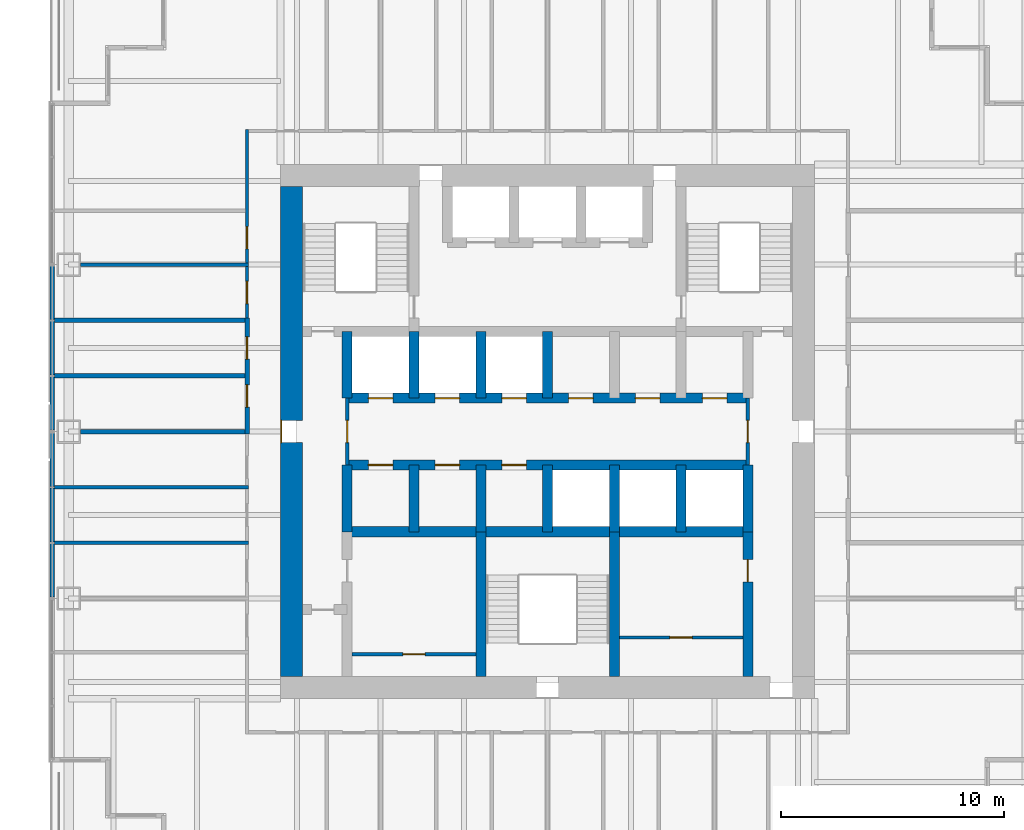
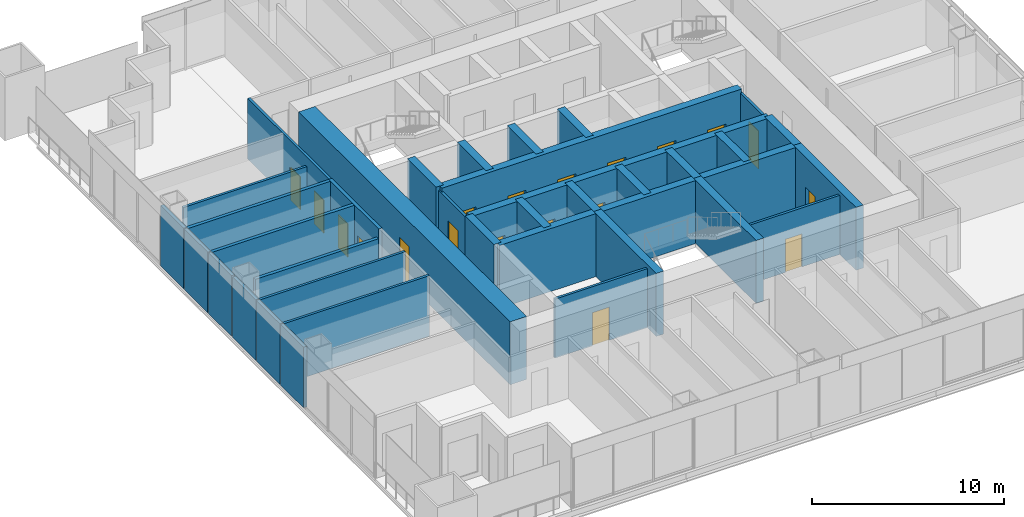
# One storey, part 9 of 14: 36 walls, 19 doors, 19 openings.
"""IFC4 building model written with IfcOpenShell, lengths in metres."""

from ifc_helpers import new_model, si_unit, direction, frame, frame_2d, origin, place, context, subcontext, project, spatial, rectangle, extrude, material, layer, layer_set, type_object, element, fill, save


model = new_model("IFC4")

# Units and contexts
model_context = context("Model", 3, precision=1e-05, world=origin(), true_north=direction((0.0, 1.0)))
body_context = subcontext(model_context, "Body", "Model", "MODEL_VIEW")
ifc_project = project(units=[si_unit("LENGTHUNIT", "METRE"), si_unit("AREAUNIT", "SQUARE_METRE"), si_unit("VOLUMEUNIT", "CUBIC_METRE"), si_unit("PLANEANGLEUNIT", "RADIAN"), si_unit("MASSUNIT", "GRAM", prefix="KILO")], contexts=[model_context])

# Site, building, storey
site_placement = place(None, origin())
site = spatial("IfcSite", under=ifc_project, at=site_placement, CompositionType="ELEMENT")
building_placement = place(site_placement, origin())
building = spatial("IfcBuilding", under=site, at=building_placement, Name="Tarangal Relay Tower", CompositionType="ELEMENT")
storey_placement = place(building_placement, frame((0.0, 0.0, 229.89990234375)))
storey = spatial("IfcBuildingStorey", under=building, at=storey_placement, Name="L49", CompositionType="ELEMENT", Elevation=229.89990234375)

# Walls
ifc_material_1 = material(Name="Two layers gypsum board each side on twin steel studs, mineral wool", Category="steel")
ifc_layer_1 = layer(ifc_material_1, 0.199951171875)
ifc_layer_set_1 = layer_set([ifc_layer_1], Name="Acoustic partition 200")
wall_type_1 = type_object("IfcWallType", Name="Acoustic partition 200", PredefinedType="PARTITIONING", material=ifc_layer_set_1)
wall_1_placement = place(storey_placement, frame((-20.989990234375, 0.0, 0.0), z_axis=(0.0, 0.0, 1.0), x_axis=(1.0, 0.0, 0.0)))
element("IfcWall", 1, at=wall_1_placement, inside=storey, type_object=wall_type_1, Name="Partition PT2 L49", PredefinedType="PARTITIONING", context=body_context, shape_type="SweptSolid", body=[
    extrude(rectangle(XDim=7.590087890625, YDim=0.199951171875, at=frame_2d((3.794921875, 0.0))), origin(), (0.0, 0.0, 1.0), 3.238037109375),
])
for number, where, z_axis, x_axis, name in (
    (2, (-22.14990234375, 2.5, 0.0), (0.0, 0.0, 1.0), (1.0, 0.0, 0.0), "Partition PT2 L49"),
    (3, (-22.14990234375, 5.0, 0.0), (0.0, 0.0, 1.0), (1.0, 0.0, 0.0), "Partition PT2 L49"),
):
    element("IfcWall", number, at=place(storey_placement, frame(where, z_axis=z_axis, x_axis=x_axis)), inside=storey, type_object=wall_type_1, Name=name, PredefinedType="PARTITIONING", context=body_context, shape_type="SweptSolid", body=[
        extrude(rectangle(XDim=8.75, YDim=0.199951171875, at=frame_2d((4.375, 0.0))), origin(), (0.0, 0.0, 1.0), 3.85009765625),
    ])

# Wall, openings, doors
wall_2_placement = place(storey_placement, frame((-13.5, -0.10009765625, 0.0), z_axis=(0.0, 0.0, 1.0), x_axis=(0.0, 1.0, 0.0)))
wall_2 = element("IfcWall", 4, at=wall_2_placement, inside=storey, type_object=wall_type_1, Name="Partition PT2 L49", PredefinedType="PARTITIONING", context=body_context, shape_type="SweptSolid", body=[
    extrude(rectangle(XDim=5.2001953125, YDim=0.199951171875, at=frame_2d((2.60009765625, 0.0))), origin(), (0.0, 0.0, 1.0), 3.85009765625),
])
opening_1_placement = place(wall_2_placement, frame((1.199951171875, 0.0, 0.0)))
opening_1 = element("IfcOpeningElement", 5, at=opening_1_placement, cuts=wall_2, Name="Opening D2", PredefinedType="OPENING", context=body_context, shape_type="SweptSolid", body=[
    extrude(rectangle(XDim=1.0, YDim=2.10009765625, at=frame_2d((0.5, 1.050048828125))), frame((0.0, 0.10986328125, 0.0), z_axis=(0.0, -1.0, 0.0), x_axis=(1.0, 0.0, 0.0)), (0.0, 0.0, 1.0), 0.219970703125),
])
opening_2_placement = place(wall_2_placement, frame((3.35009765625, 0.0, 0.0)))
opening_2 = element("IfcOpeningElement", 6, at=opening_2_placement, cuts=wall_2, Name="Opening D2", PredefinedType="OPENING", context=body_context, shape_type="SweptSolid", body=[
    extrude(rectangle(XDim=1.0, YDim=2.10009765625, at=frame_2d((0.5, 1.050048828125))), frame((0.0, 0.10986328125, 0.0), z_axis=(0.0, -1.0, 0.0), x_axis=(1.0, 0.0, 0.0)), (0.0, 0.0, 1.0), 0.219970703125),
])
ifc_material_2 = material(Name="Hardwood door", Category="wood")
door_type_1 = type_object("IfcDoorType", Name="Door 1000 x 2100", OperationType="SINGLE_SWING_LEFT", PredefinedType="DOOR", material=ifc_material_2)
door_1_placement = place(opening_1_placement, origin())
door_1 = element("IfcDoor", 7, at=door_1_placement, inside=storey, type_object=door_type_1, Name="Door D2 to wellness room L49-27", OperationType="SINGLE_SWING_LEFT", OverallHeight=2.10009765625, OverallWidth=1.0, PredefinedType="DOOR", context=body_context, shape_type="SweptSolid", body=[
    extrude(rectangle(XDim=1.0, YDim=2.10009765625, at=frame_2d((0.5, 1.050048828125))), frame((0.0, 0.02490234375, 0.0), z_axis=(0.0, -1.0, 0.0), x_axis=(1.0, 0.0, 0.0)), (0.0, 0.0, 1.0), 0.050048828125),
])
fill(opening_1, door_1)
door_2_placement = place(opening_2_placement, origin())
door_2 = element("IfcDoor", 8, at=door_2_placement, inside=storey, type_object=door_type_1, Name="Door D2 to quiet room L49-28", OperationType="SINGLE_SWING_LEFT", OverallHeight=2.10009765625, OverallWidth=1.0, PredefinedType="DOOR", context=body_context, shape_type="SweptSolid", body=[
    extrude(rectangle(XDim=1.0, YDim=2.10009765625, at=frame_2d((0.5, 1.050048828125))), frame((0.0, 0.02490234375, 0.0), z_axis=(0.0, -1.0, 0.0), x_axis=(1.0, 0.0, 0.0)), (0.0, 0.0, 1.0), 0.050048828125),
])
fill(opening_2, door_2)

ifc_material_3 = material(Name="Concrete fc' 60 MPa", Category="concrete")
ifc_layer_2 = layer(ifc_material_3, 0.449951171875)
ifc_layer_set_2 = layer_set([ifc_layer_2], Name="Core inner wall 450")
wall_type_2 = type_object("IfcWallType", Name="Core inner wall 450", PredefinedType="SHEAR", material=ifc_layer_set_2)
wall_3_placement = place(storey_placement, frame((-9.0, 1.5, 0.0), z_axis=(0.0, 0.0, 1.0), x_axis=(1.0, 0.0, 0.0)))
wall_3 = element("IfcWall", 9, at=wall_3_placement, inside=storey, type_object=wall_type_2, Name="Core wall Y15 L49", PredefinedType="SHEAR", context=body_context, shape_type="SweptSolid", body=[
    extrude(rectangle(XDim=18.0, YDim=0.449951171875, at=frame_2d((9.0, 0.0))), origin(), (0.0, 0.0, 1.0), 4.0),
])
opening_3_placement = place(wall_3_placement, frame((0.949951171875, 0.0, 0.0)))
opening_3 = element("IfcOpeningElement", 10, at=opening_3_placement, cuts=wall_3, Name="Opening LD1", PredefinedType="OPENING", context=body_context, shape_type="SweptSolid", body=[
    extrude(rectangle(XDim=1.10009765625, YDim=2.10009765625, at=frame_2d((0.550048828125, 1.050048828125))), frame((0.0, 0.23486328125, 0.0), z_axis=(0.0, -1.0, 0.0), x_axis=(1.0, 0.0, 0.0)), (0.0, 0.0, 1.0), 0.469970703125),
])
opening_4_placement = place(wall_3_placement, frame((3.949951171875, 0.0, 0.0)))
opening_4 = element("IfcOpeningElement", 11, at=opening_4_placement, cuts=wall_3, Name="Opening LD1", PredefinedType="OPENING", context=body_context, shape_type="SweptSolid", body=[
    extrude(rectangle(XDim=1.10009765625, YDim=2.10009765625, at=frame_2d((0.550048828125, 1.050048828125))), frame((0.0, 0.23486328125, 0.0), z_axis=(0.0, -1.0, 0.0), x_axis=(1.0, 0.0, 0.0)), (0.0, 0.0, 1.0), 0.469970703125),
])
opening_5_placement = place(wall_3_placement, frame((6.949951171875, 0.0, 0.0)))
opening_5 = element("IfcOpeningElement", 12, at=opening_5_placement, cuts=wall_3, Name="Opening LD1", PredefinedType="OPENING", context=body_context, shape_type="SweptSolid", body=[
    extrude(rectangle(XDim=1.10009765625, YDim=2.10009765625, at=frame_2d((0.550048828125, 1.050048828125))), frame((0.0, 0.23486328125, 0.0), z_axis=(0.0, -1.0, 0.0), x_axis=(1.0, 0.0, 0.0)), (0.0, 0.0, 1.0), 0.469970703125),
])
opening_6_placement = place(wall_3_placement, frame((9.949951171875, 0.0, 0.0)))
opening_6 = element("IfcOpeningElement", 13, at=opening_6_placement, cuts=wall_3, Name="Opening D4", PredefinedType="OPENING", context=body_context, shape_type="SweptSolid", body=[
    extrude(rectangle(XDim=1.10009765625, YDim=2.10009765625, at=frame_2d((0.550048828125, 1.050048828125))), frame((0.0, 0.23486328125, 0.0), z_axis=(0.0, -1.0, 0.0), x_axis=(1.0, 0.0, 0.0)), (0.0, 0.0, 1.0), 0.469970703125),
])
opening_7_placement = place(wall_3_placement, frame((12.949951171875, 0.0, 0.0)))
opening_7 = element("IfcOpeningElement", 14, at=opening_7_placement, cuts=wall_3, Name="Opening D4", PredefinedType="OPENING", context=body_context, shape_type="SweptSolid", body=[
    extrude(rectangle(XDim=1.10009765625, YDim=2.10009765625, at=frame_2d((0.550048828125, 1.050048828125))), frame((0.0, 0.23486328125, 0.0), z_axis=(0.0, -1.0, 0.0), x_axis=(1.0, 0.0, 0.0)), (0.0, 0.0, 1.0), 0.469970703125),
])
opening_8_placement = place(wall_3_placement, frame((15.949951171875, 0.0, 0.0)))
opening_8 = element("IfcOpeningElement", 15, at=opening_8_placement, cuts=wall_3, Name="Opening D4", PredefinedType="OPENING", context=body_context, shape_type="SweptSolid", body=[
    extrude(rectangle(XDim=1.10009765625, YDim=2.10009765625, at=frame_2d((0.550048828125, 1.050048828125))), frame((0.0, 0.23486328125, 0.0), z_axis=(0.0, -1.0, 0.0), x_axis=(1.0, 0.0, 0.0)), (0.0, 0.0, 1.0), 0.469970703125),
])
ifc_material_4 = material(Name="Steel door with hardwood frame", Category="steel")
door_type_2 = type_object("IfcDoorType", Name="Core room door 1100 x 2100", OperationType="SINGLE_SWING_RIGHT", PredefinedType="DOOR", material=ifc_material_4)
door_3_placement = place(opening_6_placement, origin())
door_3 = element("IfcDoor", 16, at=door_3_placement, inside=storey, type_object=door_type_2, Name="Door D4 to staff pantry L49-T1", OperationType="SINGLE_SWING_RIGHT", OverallHeight=2.10009765625, OverallWidth=1.10009765625, PredefinedType="DOOR", context=body_context, shape_type="SweptSolid", body=[
    extrude(rectangle(XDim=1.10009765625, YDim=2.10009765625, at=frame_2d((0.550048828125, 1.050048828125))), frame((0.0, 0.02490234375, 0.0), z_axis=(0.0, -1.0, 0.0), x_axis=(1.0, 0.0, 0.0)), (0.0, 0.0, 1.0), 0.050048828125),
])
fill(opening_6, door_3)
door_4_placement = place(opening_7_placement, origin())
door_4 = element("IfcDoor", 17, at=door_4_placement, inside=storey, type_object=door_type_2, Name="Door D4 to it room L49-T2", OperationType="SINGLE_SWING_RIGHT", OverallHeight=2.10009765625, OverallWidth=1.10009765625, PredefinedType="DOOR", context=body_context, shape_type="SweptSolid", body=[
    extrude(rectangle(XDim=1.10009765625, YDim=2.10009765625, at=frame_2d((0.550048828125, 1.050048828125))), frame((0.0, 0.02490234375, 0.0), z_axis=(0.0, -1.0, 0.0), x_axis=(1.0, 0.0, 0.0)), (0.0, 0.0, 1.0), 0.050048828125),
])
fill(opening_7, door_4)
door_5_placement = place(opening_8_placement, origin())
door_5 = element("IfcDoor", 18, at=door_5_placement, inside=storey, type_object=door_type_2, Name="Door D4 to cleaner's store L49-T3", OperationType="SINGLE_SWING_RIGHT", OverallHeight=2.10009765625, OverallWidth=1.10009765625, PredefinedType="DOOR", context=body_context, shape_type="SweptSolid", body=[
    extrude(rectangle(XDim=1.10009765625, YDim=2.10009765625, at=frame_2d((0.550048828125, 1.050048828125))), frame((0.0, 0.02490234375, 0.0), z_axis=(0.0, -1.0, 0.0), x_axis=(1.0, 0.0, 0.0)), (0.0, 0.0, 1.0), 0.050048828125),
])
fill(opening_8, door_5)
door_type_3 = type_object("IfcDoorType", Name="Lift landing door 1100 x 2100", OperationType="SLIDING_TO_LEFT", PredefinedType="DOOR", material=ifc_material_4)
door_6_placement = place(opening_3_placement, origin())
door_6 = element("IfcDoor", 19, at=door_6_placement, inside=storey, type_object=door_type_3, Name="Lift OL1 landing door L49", OperationType="SLIDING_TO_LEFT", OverallHeight=2.10009765625, OverallWidth=1.10009765625, PredefinedType="DOOR", context=body_context, shape_type="SweptSolid", body=[
    extrude(rectangle(XDim=1.10009765625, YDim=2.10009765625, at=frame_2d((0.550048828125, 1.050048828125))), frame((0.0, 0.02490234375, 0.0), z_axis=(0.0, -1.0, 0.0), x_axis=(1.0, 0.0, 0.0)), (0.0, 0.0, 1.0), 0.050048828125),
])
fill(opening_3, door_6)
door_7_placement = place(opening_4_placement, origin())
door_7 = element("IfcDoor", 20, at=door_7_placement, inside=storey, type_object=door_type_3, Name="Lift OL2 landing door L49", OperationType="SLIDING_TO_LEFT", OverallHeight=2.10009765625, OverallWidth=1.10009765625, PredefinedType="DOOR", context=body_context, shape_type="SweptSolid", body=[
    extrude(rectangle(XDim=1.10009765625, YDim=2.10009765625, at=frame_2d((0.550048828125, 1.050048828125))), frame((0.0, 0.02490234375, 0.0), z_axis=(0.0, -1.0, 0.0), x_axis=(1.0, 0.0, 0.0)), (0.0, 0.0, 1.0), 0.050048828125),
])
fill(opening_4, door_7)
door_8_placement = place(opening_5_placement, origin())
door_8 = element("IfcDoor", 21, at=door_8_placement, inside=storey, type_object=door_type_3, Name="Lift OL3 landing door L49", OperationType="SLIDING_TO_LEFT", OverallHeight=2.10009765625, OverallWidth=1.10009765625, PredefinedType="DOOR", context=body_context, shape_type="SweptSolid", body=[
    extrude(rectangle(XDim=1.10009765625, YDim=2.10009765625, at=frame_2d((0.550048828125, 1.050048828125))), frame((0.0, 0.02490234375, 0.0), z_axis=(0.0, -1.0, 0.0), x_axis=(1.0, 0.0, 0.0)), (0.0, 0.0, 1.0), 0.050048828125),
])
fill(opening_5, door_8)

wall_4_placement = place(storey_placement, frame((-9.0, -1.5, 0.0), z_axis=(0.0, 0.0, 1.0), x_axis=(1.0, 0.0, 0.0)))
wall_4 = element("IfcWall", 22, at=wall_4_placement, inside=storey, type_object=wall_type_2, Name="Core wall YM15 L49", PredefinedType="SHEAR", context=body_context, shape_type="SweptSolid", body=[
    extrude(rectangle(XDim=18.0, YDim=0.449951171875, at=frame_2d((9.0, 0.0))), origin(), (0.0, 0.0, 1.0), 4.0),
])
opening_9_placement = place(wall_4_placement, frame((0.949951171875, 0.0, 0.0)))
opening_9 = element("IfcOpeningElement", 23, at=opening_9_placement, cuts=wall_4, Name="Opening D4", PredefinedType="OPENING", context=body_context, shape_type="SweptSolid", body=[
    extrude(rectangle(XDim=1.10009765625, YDim=2.10009765625, at=frame_2d((0.550048828125, 1.050048828125))), frame((0.0, 0.23486328125, 0.0), z_axis=(0.0, -1.0, 0.0), x_axis=(1.0, 0.0, 0.0)), (0.0, 0.0, 1.0), 0.469970703125),
])
opening_10_placement = place(wall_4_placement, frame((3.949951171875, 0.0, 0.0)))
opening_10 = element("IfcOpeningElement", 24, at=opening_10_placement, cuts=wall_4, Name="Opening D4", PredefinedType="OPENING", context=body_context, shape_type="SweptSolid", body=[
    extrude(rectangle(XDim=1.10009765625, YDim=2.10009765625, at=frame_2d((0.550048828125, 1.050048828125))), frame((0.0, 0.23486328125, 0.0), z_axis=(0.0, -1.0, 0.0), x_axis=(1.0, 0.0, 0.0)), (0.0, 0.0, 1.0), 0.469970703125),
])
opening_11_placement = place(wall_4_placement, frame((6.949951171875, 0.0, 0.0)))
opening_11 = element("IfcOpeningElement", 25, at=opening_11_placement, cuts=wall_4, Name="Opening D4", PredefinedType="OPENING", context=body_context, shape_type="SweptSolid", body=[
    extrude(rectangle(XDim=1.10009765625, YDim=2.10009765625, at=frame_2d((0.550048828125, 1.050048828125))), frame((0.0, 0.23486328125, 0.0), z_axis=(0.0, -1.0, 0.0), x_axis=(1.0, 0.0, 0.0)), (0.0, 0.0, 1.0), 0.469970703125),
])
door_9_placement = place(opening_9_placement, origin())
door_9 = element("IfcDoor", 26, at=door_9_placement, inside=storey, type_object=door_type_2, Name="Door D4 to staff wc L49-S1", OperationType="SINGLE_SWING_RIGHT", OverallHeight=2.10009765625, OverallWidth=1.10009765625, PredefinedType="DOOR", context=body_context, shape_type="SweptSolid", body=[
    extrude(rectangle(XDim=1.10009765625, YDim=2.10009765625, at=frame_2d((0.550048828125, 1.050048828125))), frame((0.0, 0.02490234375, 0.0), z_axis=(0.0, -1.0, 0.0), x_axis=(1.0, 0.0, 0.0)), (0.0, 0.0, 1.0), 0.050048828125),
])
fill(opening_9, door_9)
door_10_placement = place(opening_10_placement, origin())
door_10 = element("IfcDoor", 27, at=door_10_placement, inside=storey, type_object=door_type_2, Name="Door D4 to staff pantry L49-S2", OperationType="SINGLE_SWING_RIGHT", OverallHeight=2.10009765625, OverallWidth=1.10009765625, PredefinedType="DOOR", context=body_context, shape_type="SweptSolid", body=[
    extrude(rectangle(XDim=1.10009765625, YDim=2.10009765625, at=frame_2d((0.550048828125, 1.050048828125))), frame((0.0, 0.02490234375, 0.0), z_axis=(0.0, -1.0, 0.0), x_axis=(1.0, 0.0, 0.0)), (0.0, 0.0, 1.0), 0.050048828125),
])
fill(opening_10, door_10)
door_11_placement = place(opening_11_placement, origin())
door_11 = element("IfcDoor", 28, at=door_11_placement, inside=storey, type_object=door_type_2, Name="Door D4 to it room L49-S3", OperationType="SINGLE_SWING_RIGHT", OverallHeight=2.10009765625, OverallWidth=1.10009765625, PredefinedType="DOOR", context=body_context, shape_type="SweptSolid", body=[
    extrude(rectangle(XDim=1.10009765625, YDim=2.10009765625, at=frame_2d((0.550048828125, 1.050048828125))), frame((0.0, 0.02490234375, 0.0), z_axis=(0.0, -1.0, 0.0), x_axis=(1.0, 0.0, 0.0)), (0.0, 0.0, 1.0), 0.050048828125),
])
fill(opening_11, door_11)

# Walls
wall_5_placement = place(storey_placement, frame((-9.0, -4.5, 0.0), z_axis=(0.0, 0.0, 1.0), x_axis=(1.0, 0.0, 0.0)))
element("IfcWall", 29, at=wall_5_placement, inside=storey, type_object=wall_type_2, Name="Core wall YM45 L49", PredefinedType="SHEAR", context=body_context, shape_type="SweptSolid", body=[
    extrude(rectangle(XDim=18.0, YDim=0.449951171875, at=frame_2d((9.0, 0.0))), origin(), (0.0, 0.0, 1.0), 4.0),
])
for number, where, z_axis, x_axis, name in (
    (30, (-9.0, 1.5, 0.0), (0.0, 0.0, 1.0), (0.0, 1.0, 0.0), "Core wall XM9N L49"),
    (31, (-9.0, -4.5, 0.0), (0.0, 0.0, 1.0), (0.0, 1.0, 0.0), "Core wall XM9S L49"),
    (32, (9.0, -4.5, 0.0), (0.0, 0.0, 1.0), (0.0, 1.0, 0.0), "Core wall X9S L49"),
    (33, (-6.0, 1.5, 0.0), (0.0, 0.0, 1.0), (0.0, 1.0, 0.0), "Core wall XM6N L49"),
    (34, (-3.0, 1.5, 0.0), (0.0, 0.0, 1.0), (0.0, 1.0, 0.0), "Core wall XM3N L49"),
    (35, (0.0, 1.5, 0.0), (0.0, 0.0, 1.0), (0.0, 1.0, 0.0), "Core wall X0N L49"),
    (36, (-6.0, -4.5, 0.0), (0.0, 0.0, 1.0), (0.0, 1.0, 0.0), "Core wall XM6S L49"),
    (37, (-3.0, -4.5, 0.0), (0.0, 0.0, 1.0), (0.0, 1.0, 0.0), "Core wall XM3S L49"),
    (38, (0.0, -4.5, 0.0), (0.0, 0.0, 1.0), (0.0, 1.0, 0.0), "Core wall X0S L49"),
    (39, (3.0, -4.5, 0.0), (0.0, 0.0, 1.0), (0.0, 1.0, 0.0), "Core wall X3S L49"),
    (40, (6.0, -4.5, 0.0), (0.0, 0.0, 1.0), (0.0, 1.0, 0.0), "Core wall X6S L49"),
):
    element("IfcWall", number, at=place(storey_placement, frame(where, z_axis=z_axis, x_axis=x_axis)), inside=storey, type_object=wall_type_2, Name=name, PredefinedType="SHEAR", context=body_context, shape_type="SweptSolid", body=[
        extrude(rectangle(XDim=3.0, YDim=0.449951171875, at=frame_2d((1.5, 0.0))), origin(), (0.0, 0.0, 1.0), 4.0),
    ])

# Wall, opening, door
wall_6_placement = place(storey_placement, frame((9.0, -11.0, 0.0), z_axis=(0.0, 0.0, 1.0), x_axis=(0.0, 1.0, 0.0)))
wall_6 = element("IfcWall", 41, at=wall_6_placement, inside=storey, type_object=wall_type_2, Name="Core wall X9W L49", PredefinedType="SHEAR", context=body_context, shape_type="SweptSolid", body=[
    extrude(rectangle(XDim=6.5, YDim=0.449951171875, at=frame_2d((3.25, 0.0))), origin(), (0.0, 0.0, 1.0), 4.0),
])
opening_12_placement = place(wall_6_placement, frame((4.25, 0.0, 0.0)))
opening_12 = element("IfcOpeningElement", 42, at=opening_12_placement, cuts=wall_6, Name="Opening D1", PredefinedType="OPENING", context=body_context, shape_type="SweptSolid", body=[
    extrude(rectangle(XDim=1.0, YDim=2.10009765625, at=frame_2d((0.5, 1.050048828125))), frame((0.0, 0.23486328125, 0.0), z_axis=(0.0, -1.0, 0.0), x_axis=(1.0, 0.0, 0.0)), (0.0, 0.0, 1.0), 0.469970703125),
])
door_type_4 = type_object("IfcDoorType", Name="WC door 1000 x 2100", OperationType="SINGLE_SWING_LEFT", PredefinedType="DOOR", material=ifc_material_2)
door_12_placement = place(opening_12_placement, origin())
door_12 = element("IfcDoor", 43, at=door_12_placement, inside=storey, type_object=door_type_4, Name="Female WC door L49", OperationType="SINGLE_SWING_LEFT", OverallHeight=2.10009765625, OverallWidth=1.0, PredefinedType="DOOR", context=body_context, shape_type="SweptSolid", body=[
    extrude(rectangle(XDim=1.0, YDim=2.10009765625, at=frame_2d((0.5, 1.050048828125))), frame((0.0, 0.02490234375, 0.0), z_axis=(0.0, -1.0, 0.0), x_axis=(1.0, 0.0, 0.0)), (0.0, 0.0, 1.0), 0.050048828125),
])
fill(opening_12, door_12)

# Walls
for number, where, z_axis, x_axis, name in (
    (44, (-3.0, -11.0, 0.0), (0.0, 0.0, 1.0), (0.0, 1.0, 0.0), "Core wall XM3W L49"),
    (45, (3.0, -11.0, 0.0), (0.0, 0.0, 1.0), (0.0, 1.0, 0.0), "Core wall X3W L49"),
):
    element("IfcWall", number, at=place(storey_placement, frame(where, z_axis=z_axis, x_axis=x_axis)), inside=storey, type_object=wall_type_2, Name=name, PredefinedType="SHEAR", context=body_context, shape_type="SweptSolid", body=[
        extrude(rectangle(XDim=6.5, YDim=0.449951171875, at=frame_2d((3.25, 0.0))), origin(), (0.0, 0.0, 1.0), 4.0),
    ])

# Wall, opening, door
ifc_layer_3 = layer(ifc_material_3, 1.0)
ifc_layer_set_3 = layer_set([ifc_layer_3], Name="Core wall 1000")
wall_type_3 = type_object("IfcWallType", Name="Core wall 1000", PredefinedType="SHEAR", material=ifc_layer_set_3)
wall_7_placement = place(storey_placement, frame((-11.5, -11.0, 0.0), z_axis=(0.0, 0.0, 1.0), x_axis=(0.0, 1.0, 0.0)))
wall_7 = element("IfcWall", 46, at=wall_7_placement, inside=storey, type_object=wall_type_3, Name="Core wall W L49", PredefinedType="SHEAR", context=body_context, shape_type="SweptSolid", body=[
    extrude(rectangle(XDim=22.0, YDim=1.0, at=frame_2d((11.0, 0.0))), origin(), (0.0, 0.0, 1.0), 4.0),
])
opening_13_placement = place(wall_7_placement, frame((10.5, 0.0, 0.0)))
opening_13 = element("IfcOpeningElement", 47, at=opening_13_placement, cuts=wall_7, Name="Opening FD3", PredefinedType="OPENING", context=body_context, shape_type="SweptSolid", body=[
    extrude(rectangle(XDim=1.0, YDim=2.39990234375, at=frame_2d((0.5, 1.199951171875))), frame((0.0, 0.510009765625, 0.0), z_axis=(0.0, -1.0, 0.0), x_axis=(1.0, 0.0, 0.0)), (0.0, 0.0, 1.0), 1.02001953125),
])
door_type_5 = type_object("IfcDoorType", Name="Fire door 1000 x 2400 core entry", OperationType="SINGLE_SWING_RIGHT", PredefinedType="DOOR", material=ifc_material_4)
door_13_placement = place(opening_13_placement, origin())
door_13 = element("IfcDoor", 48, at=door_13_placement, inside=storey, type_object=door_type_5, Name="Core entry door west L49", OperationType="SINGLE_SWING_RIGHT", OverallHeight=2.39990234375, OverallWidth=1.0, PredefinedType="DOOR", context=body_context, shape_type="SweptSolid", body=[
    extrude(rectangle(XDim=1.0, YDim=2.39990234375, at=frame_2d((0.5, 1.199951171875))), frame((0.0, 0.48486328125, 0.0), z_axis=(0.0, -1.0, 0.0), x_axis=(1.0, 0.0, 0.0)), (0.0, 0.0, 1.0), 0.050048828125),
])
fill(opening_13, door_13)

# Walls
ifc_material_5 = material(Name="Black metal clad insulated wall", Category="steel")
ifc_layer_4 = layer(ifc_material_5, 0.199951171875)
ifc_layer_set_4 = layer_set([ifc_layer_4], Name="Facade infill wall metal clad 200")
wall_type_4 = type_object("IfcWallType", Name="Facade infill wall metal clad 200", PredefinedType="SOLIDWALL", material=ifc_layer_set_4)
wall_8_placement = place(storey_placement, frame((-22.25, -7.43505859375, 0.0), z_axis=(0.0, 0.0, 1.0), x_axis=(0.0, 1.0, 0.0)))
element("IfcWall", 49, at=wall_8_placement, inside=storey, type_object=wall_type_4, Name="Facade infill wall W facade L49 1.1", PredefinedType="SOLIDWALL", context=body_context, shape_type="SweptSolid", body=[
    extrude(rectangle(XDim=2.402587890625, YDim=0.199951171875, at=frame_2d((1.201171875, 0.0))), origin(), (0.0, 0.0, 1.0), 3.85009765625),
])
wall_9_placement = place(storey_placement, frame((-22.25, -4.967529296875, 0.0), z_axis=(0.0, 0.0, 1.0), x_axis=(0.0, 1.0, 0.0)))
element("IfcWall", 50, at=wall_9_placement, inside=storey, type_object=wall_type_4, Name="Facade infill wall W facade L49 2.1", PredefinedType="SOLIDWALL", context=body_context, shape_type="SweptSolid", body=[
    extrude(rectangle(XDim=2.43505859375, YDim=0.199951171875, at=frame_2d((1.217529296875, 0.0))), origin(), (0.0, 0.0, 1.0), 3.85009765625),
])
for number, where, z_axis, x_axis, name in (
    (51, (-22.25, -2.467529296875, 0.0), (0.0, 0.0, 1.0), (0.0, 1.0, 0.0), "Facade infill wall W facade L49 3.1"),
    (52, (-22.25, 0.06494140625, 0.0), (0.0, 0.0, 1.0), (0.0, 1.0, 0.0), "Facade infill wall W facade L49 1.1"),
):
    element("IfcWall", number, at=place(storey_placement, frame(where, z_axis=z_axis, x_axis=x_axis)), inside=storey, type_object=wall_type_4, Name=name, PredefinedType="SOLIDWALL", context=body_context, shape_type="SweptSolid", body=[
        extrude(rectangle(XDim=2.402587890625, YDim=0.199951171875, at=frame_2d((1.201171875, 0.0))), origin(), (0.0, 0.0, 1.0), 3.85009765625),
    ])
wall_10_placement = place(storey_placement, frame((-22.25, 2.532470703125, 0.0), z_axis=(0.0, 0.0, 1.0), x_axis=(0.0, 1.0, 0.0)))
element("IfcWall", 53, at=wall_10_placement, inside=storey, type_object=wall_type_4, Name="Facade infill wall W facade L49 2.1", PredefinedType="SOLIDWALL", context=body_context, shape_type="SweptSolid", body=[
    extrude(rectangle(XDim=2.43505859375, YDim=0.199951171875, at=frame_2d((1.217529296875, 0.0))), origin(), (0.0, 0.0, 1.0), 3.85009765625),
])
wall_11_placement = place(storey_placement, frame((-22.25, 5.032470703125, 0.0), z_axis=(0.0, 0.0, 1.0), x_axis=(0.0, 1.0, 0.0)))
element("IfcWall", 54, at=wall_11_placement, inside=storey, type_object=wall_type_4, Name="Facade infill wall W facade L49 3.1", PredefinedType="SOLIDWALL", context=body_context, shape_type="SweptSolid", body=[
    extrude(rectangle(XDim=2.402587890625, YDim=0.199951171875, at=frame_2d((1.201171875, 0.0))), origin(), (0.0, 0.0, 1.0), 3.85009765625),
])
ifc_material_6 = material(Name="Gypsum board on steel studs", Category="steel")
ifc_layer_5 = layer(ifc_material_6, 0.14990234375)
ifc_layer_set_5 = layer_set([ifc_layer_5], Name="Partition 150")
wall_type_5 = type_object("IfcWallType", Name="Partition 150", PredefinedType="PARTITIONING", material=ifc_layer_set_5)
for number, where, z_axis, x_axis, name in (
    (55, (-22.14990234375, -5.0, 0.0), (0.0, 0.0, 1.0), (1.0, 0.0, 0.0), "Partition PT1 L49"),
    (56, (-22.14990234375, -2.5, 0.0), (0.0, 0.0, 1.0), (1.0, 0.0, 0.0), "Partition PT1 L49"),
):
    element("IfcWall", number, at=place(storey_placement, frame(where, z_axis=z_axis, x_axis=x_axis)), inside=storey, type_object=wall_type_5, Name=name, PredefinedType="PARTITIONING", context=body_context, shape_type="SweptSolid", body=[
        extrude(rectangle(XDim=8.724853515625, YDim=0.14990234375, at=frame_2d((4.3623046875, 0.0))), origin(), (0.0, 0.0, 1.0), 3.85009765625),
    ])
wall_12_placement = place(storey_placement, frame((-20.989990234375, 7.5, 0.0), z_axis=(0.0, 0.0, 1.0), x_axis=(1.0, 0.0, 0.0)))
element("IfcWall", 57, at=wall_12_placement, inside=storey, type_object=wall_type_5, Name="Partition PT1 L49", PredefinedType="PARTITIONING", context=body_context, shape_type="SweptSolid", body=[
    extrude(rectangle(XDim=7.56494140625, YDim=0.14990234375, at=frame_2d((3.782470703125, 0.0))), origin(), (0.0, 0.0, 1.0), 3.238037109375),
])

# Wall, openings, doors
wall_13_placement = place(storey_placement, frame((-13.5, 4.925048828125, 0.0), z_axis=(0.0, 0.0, 1.0), x_axis=(0.0, 1.0, 0.0)))
wall_13 = element("IfcWall", 58, at=wall_13_placement, inside=storey, type_object=wall_type_5, Name="Partition PT1 L49", PredefinedType="PARTITIONING", context=body_context, shape_type="SweptSolid", body=[
    extrude(rectangle(XDim=8.64990234375, YDim=0.14990234375, at=frame_2d((4.324951171875, 0.0))), origin(), (0.0, 0.0, 1.0), 3.85009765625),
])
opening_14_placement = place(wall_13_placement, frame((0.824951171875, 0.0, 0.0)))
opening_14 = element("IfcOpeningElement", 59, at=opening_14_placement, cuts=wall_13, Name="Opening D2", PredefinedType="OPENING", context=body_context, shape_type="SweptSolid", body=[
    extrude(rectangle(XDim=1.0, YDim=2.10009765625, at=frame_2d((0.5, 1.050048828125))), frame((0.0, 0.0849609375, 0.0), z_axis=(0.0, -1.0, 0.0), x_axis=(1.0, 0.0, 0.0)), (0.0, 0.0, 1.0), 0.169921875),
])
opening_15_placement = place(wall_13_placement, frame((3.283447265625, 0.0, 0.0)))
opening_15 = element("IfcOpeningElement", 60, at=opening_15_placement, cuts=wall_13, Name="Opening D2", PredefinedType="OPENING", context=body_context, shape_type="SweptSolid", body=[
    extrude(rectangle(XDim=1.0, YDim=2.10009765625, at=frame_2d((0.5, 1.050048828125))), frame((0.0, 0.0849609375, 0.0), z_axis=(0.0, -1.0, 0.0), x_axis=(1.0, 0.0, 0.0)), (0.0, 0.0, 1.0), 0.169921875),
])
door_14_placement = place(opening_14_placement, origin())
door_14 = element("IfcDoor", 61, at=door_14_placement, inside=storey, type_object=door_type_1, Name="Door D2 to cellular office L49-29", OperationType="SINGLE_SWING_LEFT", OverallHeight=2.10009765625, OverallWidth=1.0, PredefinedType="DOOR", context=body_context, shape_type="SweptSolid", body=[
    extrude(rectangle(XDim=1.0, YDim=2.10009765625, at=frame_2d((0.5, 1.050048828125))), frame((0.0, 0.02490234375, 0.0), z_axis=(0.0, -1.0, 0.0), x_axis=(1.0, 0.0, 0.0)), (0.0, 0.0, 1.0), 0.050048828125),
])
fill(opening_14, door_14)
door_15_placement = place(opening_15_placement, origin())
door_15 = element("IfcDoor", 62, at=door_15_placement, inside=storey, type_object=door_type_1, Name="Door D2 to cellular office L49-30", OperationType="SINGLE_SWING_LEFT", OverallHeight=2.10009765625, OverallWidth=1.0, PredefinedType="DOOR", context=body_context, shape_type="SweptSolid", body=[
    extrude(rectangle(XDim=1.0, YDim=2.10009765625, at=frame_2d((0.5, 1.050048828125))), frame((0.0, 0.02490234375, 0.0), z_axis=(0.0, -1.0, 0.0), x_axis=(1.0, 0.0, 0.0)), (0.0, 0.0, 1.0), 0.050048828125),
])
fill(opening_15, door_15)

# Wall, opening, door
wall_14_placement = place(storey_placement, frame((-8.77490234375, -10.0, 0.0), z_axis=(0.0, 0.0, 1.0), x_axis=(1.0, 0.0, 0.0)))
wall_14 = element("IfcWall", 63, at=wall_14_placement, inside=storey, type_object=wall_type_5, Name="Partition PT1 L49", PredefinedType="PARTITIONING", context=body_context, shape_type="SweptSolid", body=[
    extrude(rectangle(XDim=5.5498046875, YDim=0.14990234375, at=frame_2d((2.77490234375, 0.0))), origin(), (0.0, 0.0, 1.0), 3.75),
])
opening_16_placement = place(wall_14_placement, frame((2.27490234375, 0.0, 0.0)))
opening_16 = element("IfcOpeningElement", 64, at=opening_16_placement, cuts=wall_14, Name="Opening D1", PredefinedType="OPENING", context=body_context, shape_type="SweptSolid", body=[
    extrude(rectangle(XDim=1.0, YDim=2.10009765625, at=frame_2d((0.5, 1.050048828125))), frame((0.0, 0.0849609375, 0.0), z_axis=(0.0, -1.0, 0.0), x_axis=(1.0, 0.0, 0.0)), (0.0, 0.0, 1.0), 0.169921875),
])
door_16_placement = place(opening_16_placement, origin())
door_16 = element("IfcDoor", 65, at=door_16_placement, inside=storey, type_object=door_type_4, Name="Door D1 to male shower room L49-C7B", OperationType="SINGLE_SWING_LEFT", OverallHeight=2.10009765625, OverallWidth=1.0, PredefinedType="DOOR", context=body_context, shape_type="SweptSolid", body=[
    extrude(rectangle(XDim=1.0, YDim=2.10009765625, at=frame_2d((0.5, 1.050048828125))), frame((0.0, 0.02490234375, 0.0), z_axis=(0.0, -1.0, 0.0), x_axis=(1.0, 0.0, 0.0)), (0.0, 0.0, 1.0), 0.050048828125),
])
fill(opening_16, door_16)

wall_15_placement = place(storey_placement, frame((3.22509765625, -9.25, 0.0), z_axis=(0.0, 0.0, 1.0), x_axis=(1.0, 0.0, 0.0)))
wall_15 = element("IfcWall", 66, at=wall_15_placement, inside=storey, type_object=wall_type_5, Name="Partition PT1 L49", PredefinedType="PARTITIONING", context=body_context, shape_type="SweptSolid", body=[
    extrude(rectangle(XDim=5.5498046875, YDim=0.14990234375, at=frame_2d((2.77490234375, 0.0))), origin(), (0.0, 0.0, 1.0), 3.75),
])
opening_17_placement = place(wall_15_placement, frame((2.27490234375, 0.0, 0.0)))
opening_17 = element("IfcOpeningElement", 67, at=opening_17_placement, cuts=wall_15, Name="Opening D1", PredefinedType="OPENING", context=body_context, shape_type="SweptSolid", body=[
    extrude(rectangle(XDim=1.0, YDim=2.10009765625, at=frame_2d((0.5, 1.050048828125))), frame((0.0, 0.0849609375, 0.0), z_axis=(0.0, -1.0, 0.0), x_axis=(1.0, 0.0, 0.0)), (0.0, 0.0, 1.0), 0.169921875),
])
door_17_placement = place(opening_17_placement, origin())
door_17 = element("IfcDoor", 68, at=door_17_placement, inside=storey, type_object=door_type_4, Name="Door D1 to female shower and changing room L49-C10B", OperationType="SINGLE_SWING_LEFT", OverallHeight=2.10009765625, OverallWidth=1.0, PredefinedType="DOOR", context=body_context, shape_type="SweptSolid", body=[
    extrude(rectangle(XDim=1.0, YDim=2.10009765625, at=frame_2d((0.5, 1.050048828125))), frame((0.0, 0.02490234375, 0.0), z_axis=(0.0, -1.0, 0.0), x_axis=(1.0, 0.0, 0.0)), (0.0, 0.0, 1.0), 0.050048828125),
])
fill(opening_17, door_17)

wall_16_placement = place(storey_placement, frame((-9.0, -1.5, 0.0), z_axis=(0.0, 0.0, 1.0), x_axis=(0.0, 1.0, 0.0)))
wall_16 = element("IfcWall", 69, at=wall_16_placement, inside=storey, type_object=wall_type_5, Name="Partition PT1 L49", PredefinedType="PARTITIONING", context=body_context, shape_type="SweptSolid", body=[
    extrude(rectangle(XDim=3.0, YDim=0.14990234375, at=frame_2d((1.5, 0.0))), origin(), (0.0, 0.0, 1.0), 3.75),
])
opening_18_placement = place(wall_16_placement, frame((1.0, 0.0, 0.0)))
opening_18 = element("IfcOpeningElement", 70, at=opening_18_placement, cuts=wall_16, Name="Opening FD3", PredefinedType="OPENING", context=body_context, shape_type="SweptSolid", body=[
    extrude(rectangle(XDim=1.0, YDim=2.39990234375, at=frame_2d((0.5, 1.199951171875))), frame((0.0, 0.0849609375, 0.0), z_axis=(0.0, -1.0, 0.0), x_axis=(1.0, 0.0, 0.0)), (0.0, 0.0, 1.0), 0.169921875),
])
door_18_placement = place(opening_18_placement, origin())
door_18 = element("IfcDoor", 71, at=door_18_placement, inside=storey, type_object=door_type_5, Name="Lift lobby door FD3 to the west corridor L49", OperationType="SINGLE_SWING_RIGHT", OverallHeight=2.39990234375, OverallWidth=1.0, PredefinedType="DOOR", context=body_context, shape_type="SweptSolid", body=[
    extrude(rectangle(XDim=1.0, YDim=2.39990234375, at=frame_2d((0.5, 1.199951171875))), frame((0.0, 0.02490234375, 0.0), z_axis=(0.0, -1.0, 0.0), x_axis=(1.0, 0.0, 0.0)), (0.0, 0.0, 1.0), 0.050048828125),
])
fill(opening_18, door_18)

wall_17_placement = place(storey_placement, frame((9.0, -1.5, 0.0), z_axis=(0.0, 0.0, 1.0), x_axis=(0.0, 1.0, 0.0)))
wall_17 = element("IfcWall", 72, at=wall_17_placement, inside=storey, type_object=wall_type_5, Name="Partition PT1 L49", PredefinedType="PARTITIONING", context=body_context, shape_type="SweptSolid", body=[
    extrude(rectangle(XDim=3.0, YDim=0.14990234375, at=frame_2d((1.5, 0.0))), origin(), (0.0, 0.0, 1.0), 3.75),
])
opening_19_placement = place(wall_17_placement, frame((1.0, 0.0, 0.0)))
opening_19 = element("IfcOpeningElement", 73, at=opening_19_placement, cuts=wall_17, Name="Opening FD3", PredefinedType="OPENING", context=body_context, shape_type="SweptSolid", body=[
    extrude(rectangle(XDim=1.0, YDim=2.39990234375, at=frame_2d((0.5, 1.199951171875))), frame((0.0, 0.0849609375, 0.0), z_axis=(0.0, -1.0, 0.0), x_axis=(1.0, 0.0, 0.0)), (0.0, 0.0, 1.0), 0.169921875),
])
door_19_placement = place(opening_19_placement, origin())
door_19 = element("IfcDoor", 74, at=door_19_placement, inside=storey, type_object=door_type_5, Name="Lift lobby door FD3 to the east corridor L49", OperationType="SINGLE_SWING_RIGHT", OverallHeight=2.39990234375, OverallWidth=1.0, PredefinedType="DOOR", context=body_context, shape_type="SweptSolid", body=[
    extrude(rectangle(XDim=1.0, YDim=2.39990234375, at=frame_2d((0.5, 1.199951171875))), frame((0.0, 0.02490234375, 0.0), z_axis=(0.0, -1.0, 0.0), x_axis=(1.0, 0.0, 0.0)), (0.0, 0.0, 1.0), 0.050048828125),
])
fill(opening_19, door_19)

save(model, "model.ifc")
